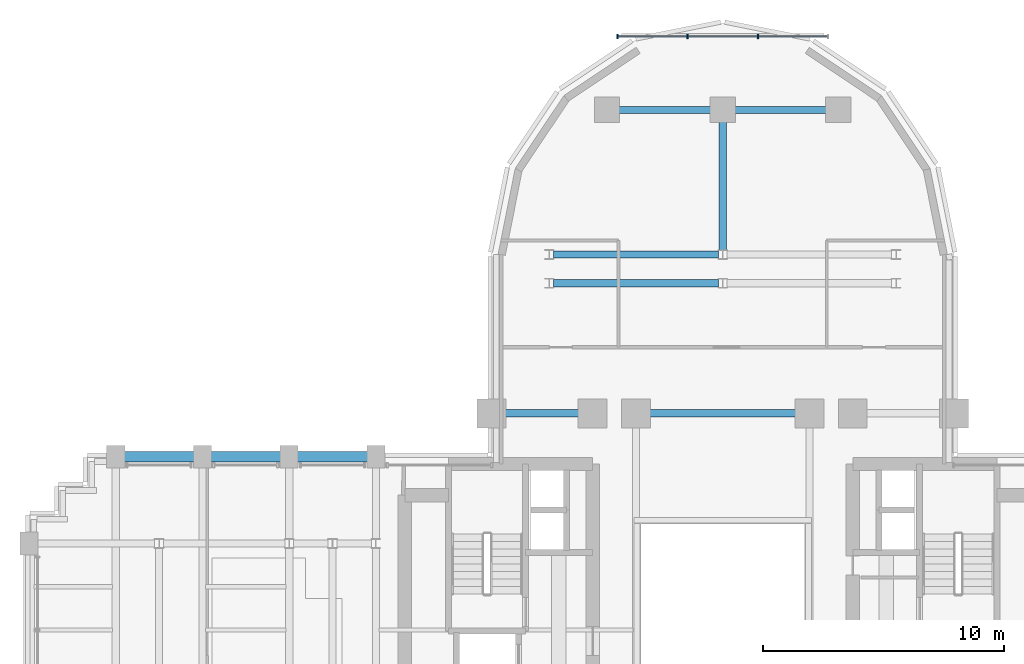
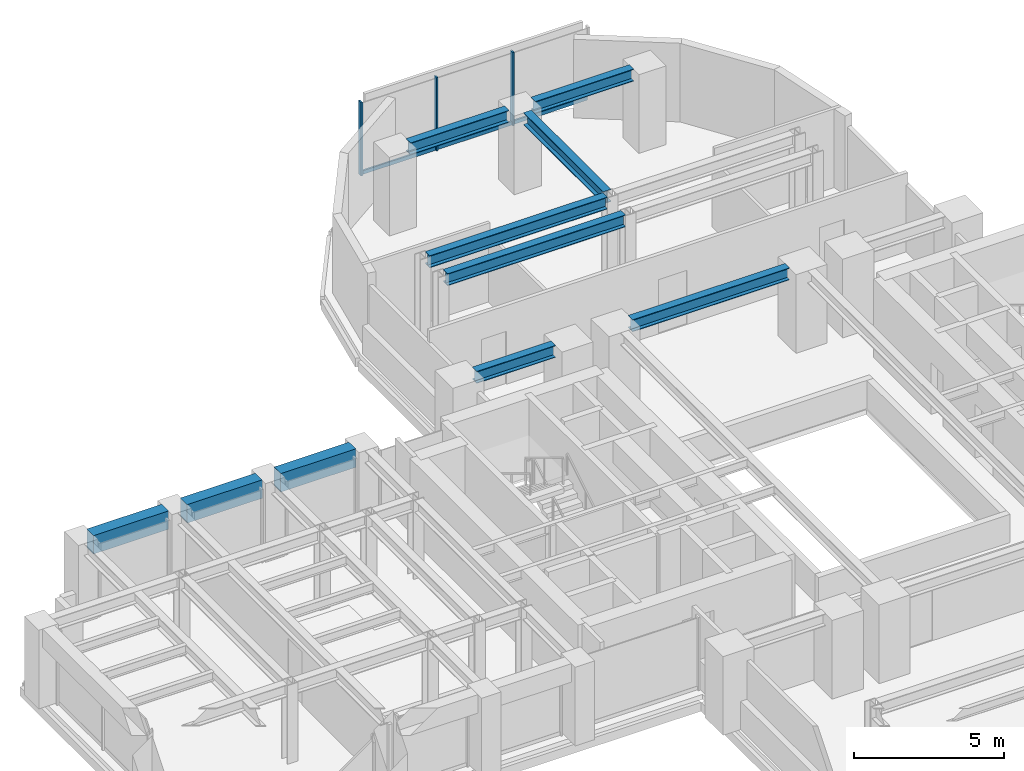
# One storey, part 7 of 16: 10 beams, 6 members, 1 element without a shape of its own.
"""IFC4 building model written with IfcOpenShell, lengths in metres."""

from ifc_helpers import new_model, si_unit, direction, frame, origin, origin_2d, place, context, subcontext, project, spatial, rectangle, i_section, extrude, source, transform, mapped, material, material_profile, profile_set, type_object, element, aggregate, save


model = new_model("IFC4")

# Units and contexts
model_context = context("Model", 3, precision=1e-05, world=origin(), true_north=direction((0.0, 1.0)))
body_context = subcontext(model_context, "Body", "Model", "MODEL_VIEW")
ifc_project = project(units=[si_unit("LENGTHUNIT", "METRE"), si_unit("AREAUNIT", "SQUARE_METRE"), si_unit("VOLUMEUNIT", "CUBIC_METRE"), si_unit("PLANEANGLEUNIT", "RADIAN"), si_unit("MASSUNIT", "GRAM", prefix="KILO")], contexts=[model_context])

# Site, building, storey
site_placement = place(None, origin())
site = spatial("IfcSite", under=ifc_project, at=site_placement, CompositionType="ELEMENT")
building_placement = place(site_placement, origin())
building = spatial("IfcBuilding", under=site, at=building_placement, Name="Keilestroom Media Tower", CompositionType="ELEMENT")
storey_placement = place(building_placement, frame((0.0, 0.0, 61.199951171875)))
storey = spatial("IfcBuildingStorey", under=building, at=storey_placement, Name="L15", CompositionType="ELEMENT", Elevation=61.199951171875)

# Beams
ifc_material_1 = material(Name="Precast concrete C40/50", Category="concrete")
ifc_material_profile_1 = material_profile(ifc_material_1, rectangle(XDim=0.449951171875, YDim=0.75, at=origin_2d()), Name="PC 450x750")
ifc_profile_set_1 = profile_set([ifc_material_profile_1], Name="Precast concrete C40/50")
beam_type_1 = type_object("IfcBeamType", Name="Perimeter-Spandrel-Beam-PC-450x750", PredefinedType="SPANDREL", material=ifc_profile_set_1)
shared_shape_1 = source(origin(), body_context, "Body", "SweptSolid", [
    extrude(rectangle(XDim=0.449951171875, YDim=0.75, at=origin_2d()), origin(), (0.0, 0.0, 1.0), 2.889892578125),
])
beam_1_placement = place(storey_placement, frame((-24.844970703125, 7.199951171875, 2.824951171875), z_axis=(1.0, 0.0, 0.0), x_axis=(0.0, 1.0, 0.0)))
element("IfcBeam", 1, at=beam_1_placement, inside=storey, type_object=beam_type_1, Name="L15 Beam SPB-1 BM-L15-EW-034", PredefinedType="SPANDREL", context=body_context, shape_type="MappedRepresentation", body=[
    mapped(shared_shape_1, transform((0.0, 0.0, 0.0), x_axis=(1.0, 0.0, 0.0), y_axis=(0.0, 1.0, 0.0), z_axis=(0.0, 0.0, 1.0), scale=1.0)),
])
shared_shape_2 = source(origin(), body_context, "Body", "SweptSolid", [
    extrude(rectangle(XDim=0.449951171875, YDim=0.75, at=origin_2d()), origin(), (0.0, 0.0, 1.0), 2.89013671875),
])
for number, where, z_axis, x_axis, name in (
    (2, (-21.2451171875, 7.199951171875, 2.824951171875), (1.0, 0.0, 0.0), (0.0, 1.0, 0.0), "L15 Beam SPB-1 BM-L15-EW-035"),
    (3, (-17.64501953125, 7.199951171875, 2.824951171875), (1.0, 0.0, 0.0), (0.0, 1.0, 0.0), "L15 Beam SPB-1 BM-L15-EW-036"),
):
    element("IfcBeam", number, at=place(storey_placement, frame(where, z_axis=z_axis, x_axis=x_axis)), inside=storey, type_object=beam_type_1, Name=name, PredefinedType="SPANDREL", context=body_context, shape_type="MappedRepresentation", body=[
        mapped(shared_shape_2, transform((0.0, 0.0, 0.0), x_axis=(1.0, 0.0, 0.0), y_axis=(0.0, 1.0, 0.0), z_axis=(0.0, 0.0, 1.0), scale=1.0)),
    ])
ifc_material_2 = material(Name="Steel S355", Category="steel")
ifc_material_profile_2 = material_profile(ifc_material_2, i_section(OverallWidth=0.300048828125, OverallDepth=0.5, WebThickness=0.012451171875, FlangeThickness=0.028076171875, at=origin_2d()), Name="HEB 500")
ifc_profile_set_2 = profile_set([ifc_material_profile_2], Name="Steel S355")
beam_type_2 = type_object("IfcBeamType", Name="Primary-Structural-Girder-HEB-500", PredefinedType="BEAM", material=ifc_profile_set_2)
shared_shape_3 = source(origin(), body_context, "Body", "SweptSolid", [
    extrude(i_section(OverallWidth=0.300048828125, OverallDepth=0.5, WebThickness=0.012451171875, FlangeThickness=0.028076171875, at=origin_2d()), origin(), (0.0, 0.0, 1.0), 5.3115234375),
])
beam_2_placement = place(storey_placement, frame((0.0, 15.783447265625, 2.949951171875), z_axis=(0.0, 1.0, 0.0), x_axis=(-1.0, 0.0, 0.0)))
element("IfcBeam", 4, at=beam_2_placement, inside=storey, type_object=beam_type_2, Name="L15 Beam BG-6 BM-L15-NS-070", PredefinedType="BEAM", context=body_context, shape_type="MappedRepresentation", body=[
    mapped(shared_shape_3, transform((0.0, 0.0, 0.0), x_axis=(1.0, 0.0, 0.0), y_axis=(0.0, 1.0, 0.0), z_axis=(0.0, 0.0, 1.0), scale=1.0)),
])
ifc_material_profile_3 = material_profile(ifc_material_2, i_section(OverallWidth=0.300048828125, OverallDepth=0.489990234375, WebThickness=0.011962890625, FlangeThickness=0.02294921875, at=origin_2d()), Name="HEA 500")
ifc_profile_set_3 = profile_set([ifc_material_profile_3], Name="Steel S355")
beam_type_3 = type_object("IfcBeamType", Name="Primary-Structural-Girder-HEA-500", PredefinedType="BEAM", material=ifc_profile_set_3)
shared_shape_4 = source(origin(), body_context, "Body", "SweptSolid", [
    extrude(i_section(OverallWidth=0.300048828125, OverallDepth=0.489990234375, WebThickness=0.011962890625, FlangeThickness=0.02294921875, at=origin_2d()), origin(), (0.0, 0.0, 1.0), 3.7900390625),
])
for number, where, z_axis, x_axis, name in (
    (5, (-4.294921875, 21.60009765625, 2.955078125), (1.0, 0.0, 0.0), (0.0, 1.0, 0.0), "L15 Beam BG-10 BM-L15-EW-049"),
    (6, (0.5048828125, 21.60009765625, 2.955078125), (1.0, 0.0, 0.0), (0.0, 1.0, 0.0), "L15 Beam BG-10 BM-L15-EW-050"),
):
    element("IfcBeam", number, at=place(storey_placement, frame(where, z_axis=z_axis, x_axis=x_axis)), inside=storey, type_object=beam_type_3, Name=name, PredefinedType="BEAM", context=body_context, shape_type="MappedRepresentation", body=[
        mapped(shared_shape_4, transform((0.0, 0.0, 0.0), x_axis=(1.0, 0.0, 0.0), y_axis=(0.0, 1.0, 0.0), z_axis=(0.0, 0.0, 1.0), scale=1.0)),
    ])
shared_shape_5 = source(origin(), body_context, "Body", "SweptSolid", [
    extrude(i_section(OverallWidth=0.300048828125, OverallDepth=0.489990234375, WebThickness=0.011962890625, FlangeThickness=0.02294921875, at=origin_2d()), origin(), (0.0, 0.0, 1.0), 6.836181640625),
])
for number, where, z_axis, x_axis, name in (
    (7, (-7.01806640625, 14.39990234375, 2.955078125), (1.0, 0.0, 0.0), (0.0, 1.0, 0.0), "L15 Beam BG-10 BM-L15-EW-045"),
    (8, (-7.01806640625, 15.60009765625, 2.955078125), (1.0, 0.0, 0.0), (0.0, 1.0, 0.0), "L15 Beam BG-10 BM-L15-EW-047"),
):
    element("IfcBeam", number, at=place(storey_placement, frame(where, z_axis=z_axis, x_axis=x_axis)), inside=storey, type_object=beam_type_3, Name=name, PredefinedType="BEAM", context=body_context, shape_type="MappedRepresentation", body=[
        mapped(shared_shape_5, transform((0.0, 0.0, 0.0), x_axis=(1.0, 0.0, 0.0), y_axis=(0.0, 1.0, 0.0), z_axis=(0.0, 0.0, 1.0), scale=1.0)),
    ])
shared_shape_6 = source(origin(), body_context, "Body", "SweptSolid", [
    extrude(i_section(OverallWidth=0.300048828125, OverallDepth=0.489990234375, WebThickness=0.011962890625, FlangeThickness=0.02294921875, at=origin_2d()), origin(), (0.0, 0.0, 1.0), 3.0400390625),
])
beam_3_placement = place(storey_placement, frame((-9.02001953125, 9.0, 2.955078125), z_axis=(1.0, 0.0, 0.0), x_axis=(0.0, 1.0, 0.0)))
element("IfcBeam", 9, at=beam_3_placement, inside=storey, type_object=beam_type_3, Name="L15 Beam BG-10 BM-L15-EW-040", PredefinedType="BEAM", context=body_context, shape_type="MappedRepresentation", body=[
    mapped(shared_shape_6, transform((0.0, 0.0, 0.0), x_axis=(1.0, 0.0, 0.0), y_axis=(0.0, 1.0, 0.0), z_axis=(0.0, 0.0, 1.0), scale=1.0)),
])
shared_shape_7 = source(origin(), body_context, "Body", "SweptSolid", [
    extrude(i_section(OverallWidth=0.300048828125, OverallDepth=0.489990234375, WebThickness=0.011962890625, FlangeThickness=0.02294921875, at=origin_2d()), origin(), (0.0, 0.0, 1.0), 6.0400390625),
])
beam_4_placement = place(storey_placement, frame((-3.02001953125, 9.0, 2.955078125), z_axis=(1.0, 0.0, 0.0), x_axis=(0.0, 1.0, 0.0)))
element("IfcBeam", 10, at=beam_4_placement, inside=storey, type_object=beam_type_3, Name="L15 Beam BG-10 BM-L15-EW-042", PredefinedType="BEAM", context=body_context, shape_type="MappedRepresentation", body=[
    mapped(shared_shape_7, transform((0.0, 0.0, 0.0), x_axis=(1.0, 0.0, 0.0), y_axis=(0.0, 1.0, 0.0), z_axis=(0.0, 0.0, 1.0), scale=1.0)),
])

# Curtain wall, members
ifc_material_3 = material(Name="Anodised Aluminium Alloy", Category="aluminium")
curtain_wall_type = type_object("IfcCurtainWallType", Name="Unitised-Curtain-Wall-CW-6", PredefinedType="NOTDEFINED", material=ifc_material_3)
curtain_wall_placement = place(storey_placement, origin())
curtain_wall = element("IfcCurtainWall", 11, at=curtain_wall_placement, inside=storey, type_object=curtain_wall_type, Name="L15 Curtain Wall CW-6 CW-L15-LN-1", PredefinedType="NOTDEFINED")
ifc_material_profile_4 = material_profile(ifc_material_3, rectangle(XDim=0.06494140625, YDim=0.179931640625, at=origin_2d()), Name="ALU MULLION 65x180")
ifc_profile_set_4 = profile_set([ifc_material_profile_4], Name="Anodised Aluminium Alloy")
member_type_1 = type_object("IfcMemberType", Name="Curtain-Wall-Mullion-CW-6", PredefinedType="MULLION", material=ifc_profile_set_4)
shared_shape_8 = source(origin(), body_context, "Body", "SweptSolid", [
    extrude(rectangle(XDim=0.06494140625, YDim=0.179931640625, at=origin_2d()), origin(), (0.0, 0.0, 1.0), 2.97998046875),
])
member_1_placement = place(storey_placement, frame((-4.367431640625, 24.64990234375, 0.0), z_axis=(0.0, 0.0, 1.0), x_axis=(1.0, 0.0, 0.0)))
member_1 = element("IfcMember", 12, at=member_1_placement, type_object=member_type_1, Name="CW-6 Mullion 00", PredefinedType="MULLION", context=body_context, shape_type="MappedRepresentation", body=[
    mapped(shared_shape_8, transform((0.0, 0.0, 0.0), x_axis=(1.0, 0.0, 0.0), y_axis=(0.0, 1.0, 0.0), z_axis=(0.0, 0.0, 1.0), scale=1.0)),
])
member_2_placement = place(storey_placement, frame((-1.466796875, 24.64990234375, 0.0), z_axis=(0.0, 0.0, 1.0), x_axis=(1.0, 0.0, 0.0)))
member_2 = element("IfcMember", 13, at=member_2_placement, type_object=member_type_1, Name="CW-6 Mullion 01", PredefinedType="MULLION", context=body_context, shape_type="MappedRepresentation", body=[
    mapped(shared_shape_8, transform((0.0, 0.0, 0.0), x_axis=(1.0, 0.0, 0.0), y_axis=(0.0, 1.0, 0.0), z_axis=(0.0, 0.0, 1.0), scale=1.0)),
])
member_3_placement = place(storey_placement, frame((1.466796875, 24.64990234375, 0.0), z_axis=(0.0, 0.0, 1.0), x_axis=(1.0, 0.0, 0.0)))
member_3 = element("IfcMember", 14, at=member_3_placement, type_object=member_type_1, Name="CW-6 Mullion 02", PredefinedType="MULLION", context=body_context, shape_type="MappedRepresentation", body=[
    mapped(shared_shape_8, transform((0.0, 0.0, 0.0), x_axis=(1.0, 0.0, 0.0), y_axis=(0.0, 1.0, 0.0), z_axis=(0.0, 0.0, 1.0), scale=1.0)),
])
ifc_material_profile_5 = material_profile(ifc_material_3, rectangle(XDim=0.06494140625, YDim=0.14990234375, at=origin_2d()), Name="ALU TRANSOM 65x150")
ifc_profile_set_5 = profile_set([ifc_material_profile_5], Name="Anodised Aluminium Alloy")
member_type_2 = type_object("IfcMemberType", Name="Curtain-Wall-Transom-CW-6", PredefinedType="USERDEFINED", material=ifc_profile_set_5)
shared_shape_9 = source(origin(), body_context, "Body", "SweptSolid", [
    extrude(rectangle(XDim=0.06494140625, YDim=0.14990234375, at=origin_2d()), origin(), (0.0, 0.0, 1.0), 2.839599609375),
])
member_4_placement = place(storey_placement, frame((-4.3369140625, 24.64990234375, 0.074951171875), z_axis=(1.0, 0.0, 0.0), x_axis=(0.0, 1.0, 0.0)))
member_4 = element("IfcMember", 15, at=member_4_placement, type_object=member_type_2, Name="CW-6 Transom 00.1", ObjectType="TRANSOM", PredefinedType="USERDEFINED", context=body_context, shape_type="MappedRepresentation", body=[
    mapped(shared_shape_9, transform((0.0, 0.0, 0.0), x_axis=(1.0, 0.0, 0.0), y_axis=(0.0, 1.0, 0.0), z_axis=(0.0, 0.0, 1.0), scale=1.0)),
])
member_5_placement = place(storey_placement, frame((1.497314453125, 24.64990234375, 0.074951171875), z_axis=(1.0, 0.0, 0.0), x_axis=(0.0, 1.0, 0.0)))
member_5 = element("IfcMember", 16, at=member_5_placement, type_object=member_type_2, Name="CW-6 Transom 02.1", ObjectType="TRANSOM", PredefinedType="USERDEFINED", context=body_context, shape_type="MappedRepresentation", body=[
    mapped(shared_shape_9, transform((0.0, 0.0, 0.0), x_axis=(1.0, 0.0, 0.0), y_axis=(0.0, 1.0, 0.0), z_axis=(0.0, 0.0, 1.0), scale=1.0)),
])
shared_shape_10 = source(origin(), body_context, "Body", "SweptSolid", [
    extrude(rectangle(XDim=0.06494140625, YDim=0.14990234375, at=origin_2d()), origin(), (0.0, 0.0, 1.0), 2.87255859375),
])
member_6_placement = place(storey_placement, frame((-1.436279296875, 24.64990234375, 0.074951171875), z_axis=(1.0, 0.0, 0.0), x_axis=(0.0, 1.0, 0.0)))
member_6 = element("IfcMember", 17, at=member_6_placement, type_object=member_type_2, Name="CW-6 Transom 01.1", ObjectType="TRANSOM", PredefinedType="USERDEFINED", context=body_context, shape_type="MappedRepresentation", body=[
    mapped(shared_shape_10, transform((0.0, 0.0, 0.0), x_axis=(1.0, 0.0, 0.0), y_axis=(0.0, 1.0, 0.0), z_axis=(0.0, 0.0, 1.0), scale=1.0)),
])
aggregate(curtain_wall, [member_1, member_2, member_3, member_4, member_6, member_5])

save(model, "model.ifc")
